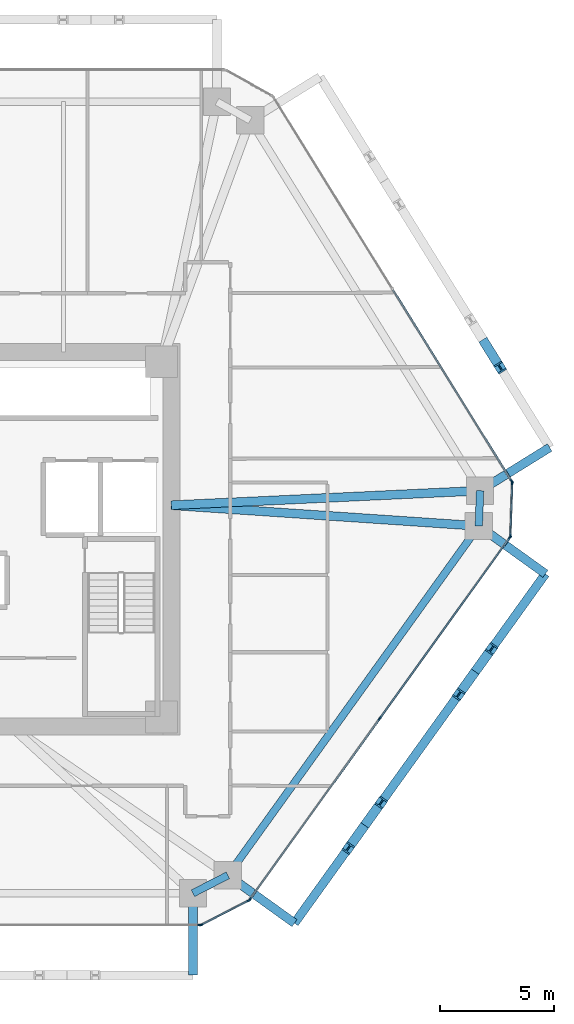
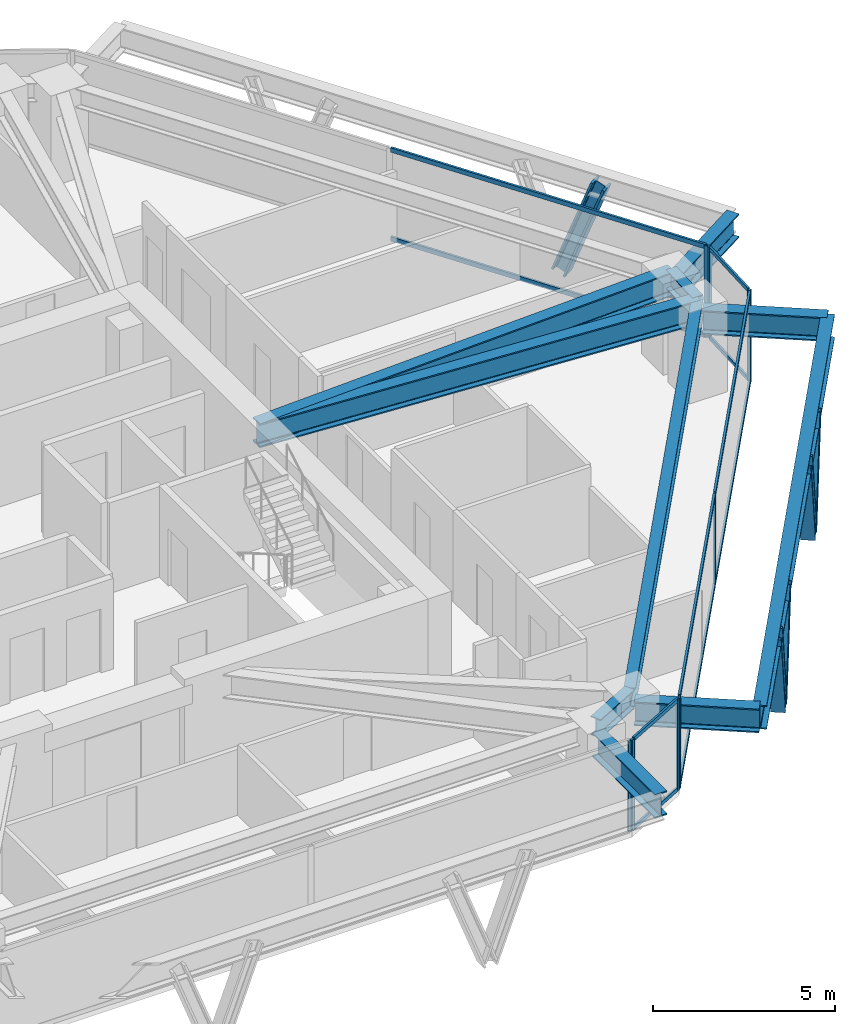
# One storey, part 5 of 14: 24 members, 10 beams, 5 elements without a shape of their own.
"""IFC4 building model written with IfcOpenShell, lengths in metres."""

from ifc_helpers import new_model, si_unit, direction, frame, origin, origin_2d, place, context, subcontext, project, spatial, rectangle, i_section, extrude, source, transform, mapped, material, layer, layer_set, material_profile, profile_set, type_object, type_shapes, element, aggregate, save


model = new_model("IFC4")

# Units and contexts
model_context = context("Model", 3, precision=1e-05, world=origin(), true_north=direction((0.0, 1.0)))
body_context = subcontext(model_context, "Body", "Model", "MODEL_VIEW")
ifc_project = project(units=[si_unit("LENGTHUNIT", "METRE"), si_unit("AREAUNIT", "SQUARE_METRE"), si_unit("VOLUMEUNIT", "CUBIC_METRE"), si_unit("PLANEANGLEUNIT", "RADIAN"), si_unit("MASSUNIT", "GRAM", prefix="KILO")], contexts=[model_context])

# Site, building, storey
site_placement = place(None, origin())
site = spatial("IfcSite", under=ifc_project, at=site_placement, CompositionType="ELEMENT")
building_placement = place(site_placement, origin())
building = spatial("IfcBuilding", under=site, at=building_placement, Name="Durnholm Broadcast Tower", CompositionType="ELEMENT")
storey_placement = place(building_placement, frame((0.0, 0.0, 127.199951171875)))
storey = spatial("IfcBuildingStorey", under=building, at=storey_placement, Name="L34", CompositionType="ELEMENT", Elevation=127.199951171875)

# Beams
ifc_material_1 = material(Name="Steel ASTM A992 Grade 50", Category="steel")
ifc_material_profile_1 = material_profile(ifc_material_1, i_section(OverallWidth=0.385009765625, OverallDepth=0.802978515625, WebThickness=0.023681640625, FlangeThickness=0.0419921875, FilletRadius=0.032958984375, at=origin_2d()), Name="W30X261")
ifc_profile_set_1 = profile_set([ifc_material_profile_1], Name="Steel ASTM A992 Grade 50")
beam_type_1 = type_object("IfcBeamType", Name="BM-EXO-TIE", PredefinedType="USERDEFINED", material=ifc_profile_set_1)
shared_shape_1 = source(origin(), body_context, "Body", "SweptSolid", [
    extrude(i_section(OverallWidth=0.385009765625, OverallDepth=0.802978515625, WebThickness=0.023681640625, FlangeThickness=0.0419921875, FilletRadius=0.032958984375, at=origin_2d()), origin(), (0.0, 0.0, 1.0), 3.4560546875),
])
for number, where, z_axis, x_axis, name in (
    (1, (11.176025390625, -15.680908203125, 2.30859375), (0.0, -1.0, 0.0), (1.0, 0.0, 0.0), "L34 exoskeleton stand-off tie bracket F1.2"),
    (2, (12.826904296875, -14.834228515625, 2.30859375), (0.812164951739, -0.583427880005, 0.0), (0.583427880005, 0.812164951739, 0.0), "L34 exoskeleton stand-off tie bracket F2.1"),
    (3, (23.844970703125, 0.5029296875, 2.30859375), (0.812164951739, -0.583427880005, 0.0), (0.583427880005, 0.812164951739, 0.0), "L34 exoskeleton stand-off tie bracket F2.2"),
    (4, (23.903076171875, 2.21240234375, 2.30859375), (0.849795112316, 0.527113144481, 0.0), (-0.527113144481, 0.849795112316, 0.0), "L34 exoskeleton stand-off tie bracket F3.1"),
):
    element("IfcBeam", number, at=place(storey_placement, frame(where, z_axis=z_axis, x_axis=x_axis)), inside=storey, type_object=beam_type_1, Name=name, ObjectType="GIRDER", PredefinedType="USERDEFINED", context=body_context, shape_type="MappedRepresentation", body=[
        mapped(shared_shape_1, transform((0.0, 0.0, 0.0), x_axis=(1.0, 0.0, 0.0), y_axis=(0.0, 1.0, 0.0), z_axis=(0.0, 0.0, 1.0), scale=1.0)),
    ])
ifc_material_profile_2 = material_profile(ifc_material_1, i_section(OverallWidth=0.3291015625, OverallDepth=0.635009765625, WebThickness=0.017822265625, FlangeThickness=0.031005859375, FilletRadius=0.02783203125, at=origin_2d()), Name="W24X162")
ifc_profile_set_2 = profile_set([ifc_material_profile_2], Name="Steel ASTM A992 Grade 50")
beam_type_2 = type_object("IfcBeamType", Name="STL-SP-W24X162", PredefinedType="SPANDREL", material=ifc_profile_set_2)
shared_shape_2 = source(origin(), body_context, "Body", "SweptSolid", [
    extrude(i_section(OverallWidth=0.3291015625, OverallDepth=0.635009765625, WebThickness=0.017822265625, FlangeThickness=0.031005859375, FilletRadius=0.02783203125, at=origin_2d()), origin(), (0.0, 0.0, 1.0), 18.884521484375),
])
beam_1_placement = place(storey_placement, frame((23.72802734375, 0.5869140625, 2.7275390625), z_axis=(-0.583443434414, -0.812153777827, 0.0), x_axis=(0.812153777827, -0.583443434414, 0.0)))
element("IfcBeam", 5, at=beam_1_placement, inside=storey, type_object=beam_type_2, Name="L34 perimeter spandrel girder 09", PredefinedType="SPANDREL", context=body_context, shape_type="MappedRepresentation", body=[
    mapped(shared_shape_2, transform((0.0, 0.0, 0.0), x_axis=(1.0, 0.0, 0.0), y_axis=(0.0, 1.0, 0.0), z_axis=(0.0, 0.0, 1.0), scale=1.0)),
])
shared_shape_3 = source(origin(), body_context, "Body", "SweptSolid", [
    extrude(i_section(OverallWidth=0.3291015625, OverallDepth=0.635009765625, WebThickness=0.017822265625, FlangeThickness=0.031005859375, FilletRadius=0.02783203125, at=origin_2d()), origin(), (0.0, 0.0, 1.0), 1.723876953125),
])
beam_2_placement = place(storey_placement, frame((12.7099609375, -14.750244140625, 2.7275390625), z_axis=(-0.889762904339, -0.456423020959, 0.0), x_axis=(0.456423020959, -0.889762904339, 0.0)))
element("IfcBeam", 6, at=beam_2_placement, inside=storey, type_object=beam_type_2, Name="L34 perimeter spandrel girder 10", PredefinedType="SPANDREL", context=body_context, shape_type="MappedRepresentation", body=[
    mapped(shared_shape_3, transform((0.0, 0.0, 0.0), x_axis=(1.0, 0.0, 0.0), y_axis=(0.0, 1.0, 0.0), z_axis=(0.0, 0.0, 1.0), scale=1.0)),
])
shared_shape_4 = source(origin(), body_context, "Body", "SweptSolid", [
    extrude(i_section(OverallWidth=0.3291015625, OverallDepth=0.635009765625, WebThickness=0.017822265625, FlangeThickness=0.031005859375, FilletRadius=0.02783203125, at=origin_2d()), origin(), (0.0, 0.0, 1.0), 1.55078125),
])
type_shapes(beam_type_2, [shared_shape_2, shared_shape_3, shared_shape_4])
beam_3_placement = place(storey_placement, frame((23.78076171875, 2.13671875, 2.7275390625), z_axis=(-0.03400678419, -0.999421602042, 0.0), x_axis=(0.999421602042, -0.03400678419, 0.0)))
element("IfcBeam", 7, at=beam_3_placement, inside=storey, type_object=beam_type_2, Name="L34 perimeter spandrel girder 08", PredefinedType="SPANDREL", context=body_context, shape_type="MappedRepresentation", body=[
    mapped(shared_shape_4, transform((0.0, 0.0, 0.0), x_axis=(1.0, 0.0, 0.0), y_axis=(0.0, 1.0, 0.0), z_axis=(0.0, 0.0, 1.0), scale=1.0)),
])
ifc_material_profile_3 = material_profile(ifc_material_1, i_section(OverallWidth=0.385009765625, OverallDepth=0.802978515625, WebThickness=0.023681640625, FlangeThickness=0.0419921875, FilletRadius=0.032958984375, at=origin_2d()), Name="W30X261")
ifc_profile_set_3 = profile_set([ifc_material_profile_3], Name="Steel ASTM A992 Grade 50")
beam_type_3 = type_object("IfcBeamType", Name="STL-GR-W30X261", PredefinedType="USERDEFINED", material=ifc_profile_set_3)
shared_shape_5 = source(origin(), body_context, "Body", "SweptSolid", [
    extrude(i_section(OverallWidth=0.385009765625, OverallDepth=0.802978515625, WebThickness=0.023681640625, FlangeThickness=0.0419921875, FilletRadius=0.032958984375, at=origin_2d()), origin(), (0.0, 0.0, 1.0), 13.570556640625),
])
beam_4_placement = place(storey_placement, frame((10.22509765625, 1.5, 2.6435546875), z_axis=(0.99889869961, 0.046918950518, 0.0), x_axis=(-0.046918950518, 0.99889869961, 0.0)))
element("IfcBeam", 8, at=beam_4_placement, inside=storey, type_object=beam_type_3, Name="L34 radial primary floor girder 08", ObjectType="GIRDER", PredefinedType="USERDEFINED", context=body_context, shape_type="MappedRepresentation", body=[
    mapped(shared_shape_5, transform((0.0, 0.0, 0.0), x_axis=(1.0, 0.0, 0.0), y_axis=(0.0, 1.0, 0.0), z_axis=(0.0, 0.0, 1.0), scale=1.0)),
])
shared_shape_6 = source(origin(), body_context, "Body", "SweptSolid", [
    extrude(i_section(OverallWidth=0.385009765625, OverallDepth=0.802978515625, WebThickness=0.023681640625, FlangeThickness=0.0419921875, FilletRadius=0.032958984375, at=origin_2d()), origin(), (0.0, 0.0, 1.0), 13.53369140625),
])
type_shapes(beam_type_3, [shared_shape_5, shared_shape_6])
beam_5_placement = place(storey_placement, frame((10.22509765625, 1.5, 2.6435546875), z_axis=(0.99772148964, -0.067467244725, 0.0), x_axis=(0.067467244725, 0.99772148964, 0.0)))
element("IfcBeam", 9, at=beam_5_placement, inside=storey, type_object=beam_type_3, Name="L34 radial primary floor girder 09", ObjectType="GIRDER", PredefinedType="USERDEFINED", context=body_context, shape_type="MappedRepresentation", body=[
    mapped(shared_shape_6, transform((0.0, 0.0, 0.0), x_axis=(1.0, 0.0, 0.0), y_axis=(0.0, 1.0, 0.0), z_axis=(0.0, 0.0, 1.0), scale=1.0)),
])
shared_shape_7 = source(origin(), body_context, "Body", "SweptSolid", [
    extrude(i_section(OverallWidth=0.385009765625, OverallDepth=0.802978515625, WebThickness=0.023681640625, FlangeThickness=0.0419921875, FilletRadius=0.032958984375, at=origin_2d()), origin(), (0.0, 0.0, 1.0), 18.884521484375),
])
type_shapes(beam_type_1, [shared_shape_1, shared_shape_7])
beam_6_placement = place(storey_placement, frame((15.6337890625, -16.8505859375, 2.30859375), z_axis=(0.583443434414, 0.812153777827, 0.0), x_axis=(-0.812153777827, 0.583443434414, 0.0)))
element("IfcBeam", 10, at=beam_6_placement, inside=storey, type_object=beam_type_1, Name="L34 exoskeleton collector spandrel F2", PredefinedType="SPANDREL", context=body_context, shape_type="MappedRepresentation", body=[
    mapped(shared_shape_7, transform((0.0, 0.0, 0.0), x_axis=(1.0, 0.0, 0.0), y_axis=(0.0, 1.0, 0.0), z_axis=(0.0, 0.0, 1.0), scale=1.0)),
])

# Members
ifc_material_2 = material(Name="Steel ASTM A913 Grade 65", Category="steel")
ifc_material_profile_4 = material_profile(ifc_material_2, i_section(OverallWidth=0.41845703125, OverallDepth=0.455078125, WebThickness=0.0419921875, FlangeThickness=0.067626953125, FilletRadius=0.030517578125, at=origin_2d()), Name="W14X370")
ifc_profile_set_4 = profile_set([ifc_material_profile_4], Name="Steel ASTM A913 Grade 65")
member_type_1 = type_object("IfcMemberType", Name="STL-DG-W14X370", PredefinedType="BRACE", material=ifc_profile_set_4)
shared_shape_8 = source(origin(), body_context, "Body", "SweptSolid", [
    extrude(i_section(OverallWidth=0.41845703125, OverallDepth=0.455078125, WebThickness=0.0419921875, FlangeThickness=0.067626953125, FilletRadius=0.030517578125, at=origin_2d()), origin(), (0.0, 0.0, 1.0), 3.523193359375),
])
type_shapes(member_type_1, [shared_shape_8])
for number, where, z_axis, x_axis, name in (
    (11, (18.71875, -12.556396484375, -0.991455078125), (-0.204287819296, -0.284395254542, 0.936688756248), (0.812179469647, -0.583407669717, 0.0), "L34 stand-off diagrid brace F2.D1.1"),
    (12, (18.71875, -12.556396484375, -0.991455078125), (0.204350195342, 0.284454917557, 0.936657033039), (-0.812153063014, 0.583444429434, 0.0), "L34 stand-off diagrid brace F2.D1.2"),
    (13, (23.56689453125, -5.807861328125, -0.991455078125), (-0.204350195342, -0.284454917557, 0.936657033039), (0.812153063014, -0.583444429434, 0.0), "L34 stand-off diagrid brace F2.D2.1"),
    (14, (23.56689453125, -5.807861328125, -0.991455078125), (0.204287819296, 0.284395254542, 0.936688756248), (-0.812179469647, 0.583407669717, 0.0), "L34 stand-off diagrid brace F2.D2.2"),
    (15, (24.01513671875, 8.58837890625, -0.991455078125), (0.184602835855, -0.297623566065, 0.936665364961), (0.849805205368, 0.527096872433, 0.0), "L34 stand-off diagrid brace F3.D1.1"),
):
    element("IfcMember", number, at=place(storey_placement, frame(where, z_axis=z_axis, x_axis=x_axis)), inside=storey, type_object=member_type_1, Name=name, PredefinedType="BRACE", context=body_context, shape_type="MappedRepresentation", body=[
        mapped(shared_shape_8, transform((0.0, 0.0, 0.0), x_axis=(1.0, 0.0, 0.0), y_axis=(0.0, 1.0, 0.0), z_axis=(0.0, 0.0, 1.0), scale=1.0)),
    ])

# Curtain wall, members
ifc_material_3 = material(Name="Aluminium and Solar Control IGU", Category="aluminium")
ifc_layer_1 = layer(ifc_material_3, 0.1650390625)
ifc_layer_set_1 = layer_set([ifc_layer_1], Name="Aluminium and Solar Control IGU")
curtain_wall_type_1 = type_object("IfcCurtainWallType", Name="CW-SYS-5", PredefinedType="NOTDEFINED", material=ifc_layer_set_1)
curtain_wall_1_placement = place(storey_placement, origin())
curtain_wall_1 = element("IfcCurtainWall", 16, at=curtain_wall_1_placement, inside=storey, type_object=curtain_wall_type_1, Name="L34 curtain wall CW-CORNER CW-L34-CRN-07", PredefinedType="NOTDEFINED")
ifc_material_4 = material(Name="Aluminium 6063-T6", Category="aluminium")
ifc_material_profile_5 = material_profile(ifc_material_4, rectangle(XDim=0.06494140625, YDim=0.1650390625, at=origin_2d()), Name="CWM65X165")
ifc_profile_set_5 = profile_set([ifc_material_profile_5], Name="Aluminium 6063-T6")
member_type_2 = type_object("IfcMemberType", Name="CW-SYS-5-MUL", PredefinedType="MULLION", material=ifc_profile_set_5)
shared_shape_9 = source(origin(), body_context, "Body", "SweptSolid", [
    extrude(rectangle(XDim=0.06494140625, YDim=0.1650390625, at=origin_2d()), origin(), (0.0, 0.0, 1.0), 3.06005859375),
])
type_shapes(member_type_2, [shared_shape_9])
member_1_placement = place(storey_placement, frame((25.193115234375, 2.481201171875, 0.0), z_axis=(0.0, 0.0, 1.0), x_axis=(0.999424655155, -0.033916937775, 0.0)))
member_1 = element("IfcMember", 17, at=member_1_placement, type_object=member_type_2, Name="CW-CORNER mullion 1", PredefinedType="MULLION", context=body_context, shape_type="MappedRepresentation", body=[
    mapped(shared_shape_9, transform((0.0, 0.0, 0.0), x_axis=(1.0, 0.0, 0.0), y_axis=(0.0, 1.0, 0.0), z_axis=(0.0, 0.0, 1.0), scale=1.0)),
])
member_2_placement = place(storey_placement, frame((25.114013671875, 0.1474609375, 0.0), z_axis=(0.0, 0.0, 1.0), x_axis=(0.999424655155, -0.033916937775, 0.0)))
member_2 = element("IfcMember", 18, at=member_2_placement, type_object=member_type_2, Name="CW-CORNER mullion 2", PredefinedType="MULLION", context=body_context, shape_type="MappedRepresentation", body=[
    mapped(shared_shape_9, transform((0.0, 0.0, 0.0), x_axis=(1.0, 0.0, 0.0), y_axis=(0.0, 1.0, 0.0), z_axis=(0.0, 0.0, 1.0), scale=1.0)),
])

curtain_wall_2_placement = place(storey_placement, origin())
curtain_wall_2 = element("IfcCurtainWall", 19, at=curtain_wall_2_placement, inside=storey, type_object=curtain_wall_type_1, Name="L34 curtain wall CW-CORNER CW-L34-CRN-09", PredefinedType="NOTDEFINED")
member_3_placement = place(storey_placement, frame((13.620849609375, -15.8564453125, 0.0), z_axis=(0.0, 0.0, 1.0), x_axis=(0.45637332267, -0.889788396392, 0.0)))
member_3 = element("IfcMember", 20, at=member_3_placement, type_object=member_type_2, Name="CW-CORNER mullion 1", PredefinedType="MULLION", context=body_context, shape_type="MappedRepresentation", body=[
    mapped(shared_shape_9, transform((0.0, 0.0, 0.0), x_axis=(1.0, 0.0, 0.0), y_axis=(0.0, 1.0, 0.0), z_axis=(0.0, 0.0, 1.0), scale=1.0)),
])
member_4_placement = place(storey_placement, frame((11.543212890625, -16.922119140625, 0.0), z_axis=(0.0, 0.0, 1.0), x_axis=(0.45637332267, -0.889788396392, 0.0)))
member_4 = element("IfcMember", 21, at=member_4_placement, type_object=member_type_2, Name="CW-CORNER mullion 2", PredefinedType="MULLION", context=body_context, shape_type="MappedRepresentation", body=[
    mapped(shared_shape_9, transform((0.0, 0.0, 0.0), x_axis=(1.0, 0.0, 0.0), y_axis=(0.0, 1.0, 0.0), z_axis=(0.0, 0.0, 1.0), scale=1.0)),
])

# Curtain wall, member
ifc_layer_2 = layer(ifc_material_3, 0.18994140625)
ifc_layer_set_2 = layer_set([ifc_layer_2], Name="Aluminium and Solar Control IGU")
curtain_wall_type_2 = type_object("IfcCurtainWallType", Name="CW-SYS-3", PredefinedType="NOTDEFINED", material=ifc_layer_set_2)
curtain_wall_3_placement = place(storey_placement, origin())
curtain_wall_3 = element("IfcCurtainWall", 22, at=curtain_wall_3_placement, inside=storey, type_object=curtain_wall_type_2, Name="L34 curtain wall CW-Z12-VIS CW-L34-F06", PredefinedType="NOTDEFINED")
ifc_material_profile_6 = material_profile(ifc_material_4, rectangle(XDim=0.070068359375, YDim=0.18994140625, at=origin_2d()), Name="CWM70X190")
ifc_profile_set_6 = profile_set([ifc_material_profile_6], Name="Aluminium 6063-T6")
member_type_3 = type_object("IfcMemberType", Name="CW-SYS-3-MUL", PredefinedType="MULLION", material=ifc_profile_set_6)
shared_shape_10 = source(origin(), body_context, "Body", "SweptSolid", [
    extrude(rectangle(XDim=0.070068359375, YDim=0.18994140625, at=origin_2d()), origin(), (0.0, 0.0, 1.0), 3.06005859375),
])
type_shapes(member_type_3, [shared_shape_10])
member_5_placement = place(storey_placement, frame((25.17578125, 2.54345703125, 0.0), z_axis=(0.0, 0.0, 1.0), x_axis=(0.849799925229, 0.527105385176, 0.0)))
member_5 = element("IfcMember", 23, at=member_5_placement, type_object=member_type_3, Name="CW-Z12-VIS mullion 3", PredefinedType="MULLION", context=body_context, shape_type="MappedRepresentation", body=[
    mapped(shared_shape_10, transform((0.0, 0.0, 0.0), x_axis=(1.0, 0.0, 0.0), y_axis=(0.0, 1.0, 0.0), z_axis=(0.0, 0.0, 1.0), scale=1.0)),
])

# Curtain wall, members
curtain_wall_4_placement = place(storey_placement, origin())
curtain_wall_4 = element("IfcCurtainWall", 24, at=curtain_wall_4_placement, inside=storey, type_object=curtain_wall_type_2, Name="L34 curtain wall CW-Z12-VIS CW-L34-F08", PredefinedType="NOTDEFINED")
member_6_placement = place(storey_placement, frame((25.092529296875, 0.086669921875, 0.0), z_axis=(0.0, 0.0, 1.0), x_axis=(0.812152312759, -0.583445473786, 0.0)))
member_6 = element("IfcMember", 25, at=member_6_placement, type_object=member_type_3, Name="CW-Z12-VIS mullion 1", PredefinedType="MULLION", context=body_context, shape_type="MappedRepresentation", body=[
    mapped(shared_shape_10, transform((0.0, 0.0, 0.0), x_axis=(1.0, 0.0, 0.0), y_axis=(0.0, 1.0, 0.0), z_axis=(0.0, 0.0, 1.0), scale=1.0)),
])
member_7_placement = place(storey_placement, frame((19.38134765625, -7.86328125, 0.0), z_axis=(0.0, 0.0, 1.0), x_axis=(0.812152312759, -0.583445473786, 0.0)))
member_7 = element("IfcMember", 26, at=member_7_placement, type_object=member_type_3, Name="CW-Z12-VIS mullion 2", PredefinedType="MULLION", context=body_context, shape_type="MappedRepresentation", body=[
    mapped(shared_shape_10, transform((0.0, 0.0, 0.0), x_axis=(1.0, 0.0, 0.0), y_axis=(0.0, 1.0, 0.0), z_axis=(0.0, 0.0, 1.0), scale=1.0)),
])
member_8_placement = place(storey_placement, frame((13.670166015625, -15.813232421875, 0.0), z_axis=(0.0, 0.0, 1.0), x_axis=(0.812152312759, -0.583445473786, 0.0)))
member_8 = element("IfcMember", 27, at=member_8_placement, type_object=member_type_3, Name="CW-Z12-VIS mullion 3", PredefinedType="MULLION", context=body_context, shape_type="MappedRepresentation", body=[
    mapped(shared_shape_10, transform((0.0, 0.0, 0.0), x_axis=(1.0, 0.0, 0.0), y_axis=(0.0, 1.0, 0.0), z_axis=(0.0, 0.0, 1.0), scale=1.0)),
])

# Curtain wall, member
curtain_wall_5_placement = place(storey_placement, origin())
curtain_wall_5 = element("IfcCurtainWall", 28, at=curtain_wall_5_placement, inside=storey, type_object=curtain_wall_type_2, Name="L34 curtain wall CW-Z12-VIS CW-L34-F10", PredefinedType="NOTDEFINED")
member_9_placement = place(storey_placement, frame((11.479248046875, -16.93701171875, 0.0), z_axis=(0.0, 0.0, 1.0), x_axis=(0.0, -1.0, 0.0)))
member_9 = element("IfcMember", 29, at=member_9_placement, type_object=member_type_3, Name="CW-Z12-VIS mullion 1", PredefinedType="MULLION", context=body_context, shape_type="MappedRepresentation", body=[
    mapped(shared_shape_10, transform((0.0, 0.0, 0.0), x_axis=(1.0, 0.0, 0.0), y_axis=(0.0, 1.0, 0.0), z_axis=(0.0, 0.0, 1.0), scale=1.0)),
])
aggregate(curtain_wall_5, [member_9])

# Member
ifc_material_profile_7 = material_profile(ifc_material_4, rectangle(XDim=0.06494140625, YDim=0.1298828125, at=origin_2d()), Name="CWT65X130")
ifc_profile_set_7 = profile_set([ifc_material_profile_7], Name="Aluminium 6063-T6")
member_type_4 = type_object("IfcMemberType", Name="CW-SYS-5-TRN", PredefinedType="USERDEFINED", material=ifc_profile_set_7)
shared_shape_11 = source(origin(), body_context, "Body", "SweptSolid", [
    extrude(rectangle(XDim=0.06494140625, YDim=0.1298828125, at=origin_2d()), origin(), (0.0, 0.0, 1.0), 2.27001953125),
])
type_shapes(member_type_4, [shared_shape_11])
member_10_placement = place(storey_placement, frame((25.192138671875, 2.44873046875, 0.032470703125), z_axis=(-0.03398444704, -0.999422361847, 0.0), x_axis=(0.999422361847, -0.03398444704, 0.0)))
member_10 = element("IfcMember", 30, at=member_10_placement, type_object=member_type_4, Name="CW-CORNER transom 1.1", ObjectType="TRANSOM", PredefinedType="USERDEFINED", context=body_context, shape_type="MappedRepresentation", body=[
    mapped(shared_shape_11, transform((0.0, 0.0, 0.0), x_axis=(1.0, 0.0, 0.0), y_axis=(0.0, 1.0, 0.0), z_axis=(0.0, 0.0, 1.0), scale=1.0)),
])

member_11_placement = place(storey_placement, frame((25.192138671875, 2.44873046875, 3.027587890625), z_axis=(-0.03398444704, -0.999422361847, 0.0), x_axis=(0.999422361847, -0.03398444704, 0.0)))
member_11 = element("IfcMember", 31, at=member_11_placement, type_object=member_type_4, Name="CW-CORNER transom 1.2", ObjectType="TRANSOM", PredefinedType="USERDEFINED", context=body_context, shape_type="MappedRepresentation", body=[
    mapped(shared_shape_11, transform((0.0, 0.0, 0.0), x_axis=(1.0, 0.0, 0.0), y_axis=(0.0, 1.0, 0.0), z_axis=(0.0, 0.0, 1.0), scale=1.0)),
])

aggregate(curtain_wall_1, [member_1, member_2, member_10, member_11])

member_12_placement = place(storey_placement, frame((13.591796875, -15.871337890625, 0.032470703125), z_axis=(-0.889798425843, -0.456353767781, 0.0), x_axis=(0.456353767781, -0.889798425843, 0.0)))
member_12 = element("IfcMember", 32, at=member_12_placement, type_object=member_type_4, Name="CW-CORNER transom 1.1", ObjectType="TRANSOM", PredefinedType="USERDEFINED", context=body_context, shape_type="MappedRepresentation", body=[
    mapped(shared_shape_11, transform((0.0, 0.0, 0.0), x_axis=(1.0, 0.0, 0.0), y_axis=(0.0, 1.0, 0.0), z_axis=(0.0, 0.0, 1.0), scale=1.0)),
])

member_13_placement = place(storey_placement, frame((13.591796875, -15.871337890625, 3.027587890625), z_axis=(-0.889798425843, -0.456353767781, 0.0), x_axis=(0.456353767781, -0.889798425843, 0.0)))
member_13 = element("IfcMember", 33, at=member_13_placement, type_object=member_type_4, Name="CW-CORNER transom 1.2", ObjectType="TRANSOM", PredefinedType="USERDEFINED", context=body_context, shape_type="MappedRepresentation", body=[
    mapped(shared_shape_11, transform((0.0, 0.0, 0.0), x_axis=(1.0, 0.0, 0.0), y_axis=(0.0, 1.0, 0.0), z_axis=(0.0, 0.0, 1.0), scale=1.0)),
])

aggregate(curtain_wall_2, [member_3, member_4, member_12, member_13])

ifc_material_profile_8 = material_profile(ifc_material_4, rectangle(XDim=0.070068359375, YDim=0.14990234375, at=origin_2d()), Name="CWT70X150")
ifc_profile_set_8 = profile_set([ifc_material_profile_8], Name="Aluminium 6063-T6")
member_type_5 = type_object("IfcMemberType", Name="CW-SYS-3-TRN", PredefinedType="USERDEFINED", material=ifc_profile_set_8)
shared_shape_12 = source(origin(), body_context, "Body", "SweptSolid", [
    extrude(rectangle(XDim=0.070068359375, YDim=0.14990234375, at=origin_2d()), origin(), (0.0, 0.0, 1.0), 9.71875),
])
member_14_placement = place(storey_placement, frame((25.072021484375, 0.05810546875, 0.03515625), z_axis=(-0.583450726174, -0.812148539448, 0.0), x_axis=(0.812148539448, -0.583450726174, 0.0)))
member_14 = element("IfcMember", 34, at=member_14_placement, type_object=member_type_5, Name="CW-Z12-VIS transom 1.1", ObjectType="TRANSOM", PredefinedType="USERDEFINED", context=body_context, shape_type="MappedRepresentation", body=[
    mapped(shared_shape_12, transform((0.0, 0.0, 0.0), x_axis=(1.0, 0.0, 0.0), y_axis=(0.0, 1.0, 0.0), z_axis=(0.0, 0.0, 1.0), scale=1.0)),
])

member_15_placement = place(storey_placement, frame((25.072021484375, 0.05810546875, 3.025146484375), z_axis=(-0.583450726174, -0.812148539448, 0.0), x_axis=(0.812148539448, -0.583450726174, 0.0)))
member_15 = element("IfcMember", 35, at=member_15_placement, type_object=member_type_5, Name="CW-Z12-VIS transom 1.2", ObjectType="TRANSOM", PredefinedType="USERDEFINED", context=body_context, shape_type="MappedRepresentation", body=[
    mapped(shared_shape_12, transform((0.0, 0.0, 0.0), x_axis=(1.0, 0.0, 0.0), y_axis=(0.0, 1.0, 0.0), z_axis=(0.0, 0.0, 1.0), scale=1.0)),
])

member_16_placement = place(storey_placement, frame((19.36083984375, -7.891845703125, 0.03515625), z_axis=(-0.583450726174, -0.812148539448, 0.0), x_axis=(0.812148539448, -0.583450726174, 0.0)))
member_16 = element("IfcMember", 36, at=member_16_placement, type_object=member_type_5, Name="CW-Z12-VIS transom 2.1", ObjectType="TRANSOM", PredefinedType="USERDEFINED", context=body_context, shape_type="MappedRepresentation", body=[
    mapped(shared_shape_12, transform((0.0, 0.0, 0.0), x_axis=(1.0, 0.0, 0.0), y_axis=(0.0, 1.0, 0.0), z_axis=(0.0, 0.0, 1.0), scale=1.0)),
])

member_17_placement = place(storey_placement, frame((19.36083984375, -7.891845703125, 3.025146484375), z_axis=(-0.583450726174, -0.812148539448, 0.0), x_axis=(0.812148539448, -0.583450726174, 0.0)))
member_17 = element("IfcMember", 37, at=member_17_placement, type_object=member_type_5, Name="CW-Z12-VIS transom 2.2", ObjectType="TRANSOM", PredefinedType="USERDEFINED", context=body_context, shape_type="MappedRepresentation", body=[
    mapped(shared_shape_12, transform((0.0, 0.0, 0.0), x_axis=(1.0, 0.0, 0.0), y_axis=(0.0, 1.0, 0.0), z_axis=(0.0, 0.0, 1.0), scale=1.0)),
])

aggregate(curtain_wall_4, [member_6, member_7, member_8, member_14, member_15, member_16, member_17])

shared_shape_13 = source(origin(), body_context, "Body", "SweptSolid", [
    extrude(rectangle(XDim=0.070068359375, YDim=0.14990234375, at=origin_2d()), origin(), (0.0, 0.0, 1.0), 9.859130859375),
])
type_shapes(member_type_5, [shared_shape_12, shared_shape_13])
member_18_placement = place(storey_placement, frame((19.960693359375, 10.951171875, 0.03515625), z_axis=(0.527108872232, -0.849797762303, 0.0), x_axis=(0.849797762303, 0.527108872232, 0.0)))
member_18 = element("IfcMember", 38, at=member_18_placement, type_object=member_type_5, Name="CW-Z12-VIS transom 2.1", ObjectType="TRANSOM", PredefinedType="USERDEFINED", context=body_context, shape_type="MappedRepresentation", body=[
    mapped(shared_shape_13, transform((0.0, 0.0, 0.0), x_axis=(1.0, 0.0, 0.0), y_axis=(0.0, 1.0, 0.0), z_axis=(0.0, 0.0, 1.0), scale=1.0)),
])

member_19_placement = place(storey_placement, frame((19.960693359375, 10.951171875, 3.025146484375), z_axis=(0.527108872232, -0.849797762303, 0.0), x_axis=(0.849797762303, 0.527108872232, 0.0)))
member_19 = element("IfcMember", 39, at=member_19_placement, type_object=member_type_5, Name="CW-Z12-VIS transom 2.2", ObjectType="TRANSOM", PredefinedType="USERDEFINED", context=body_context, shape_type="MappedRepresentation", body=[
    mapped(shared_shape_13, transform((0.0, 0.0, 0.0), x_axis=(1.0, 0.0, 0.0), y_axis=(0.0, 1.0, 0.0), z_axis=(0.0, 0.0, 1.0), scale=1.0)),
])

aggregate(curtain_wall_3, [member_5, member_18, member_19])

save(model, "model.ifc")
